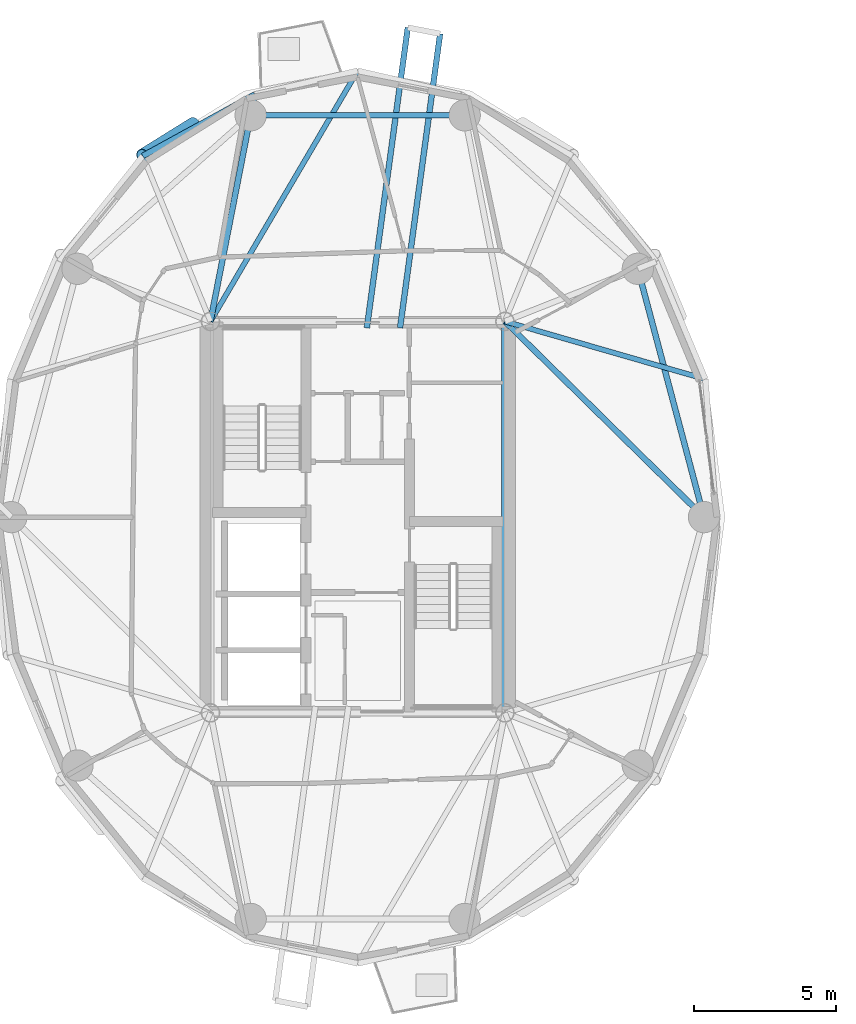
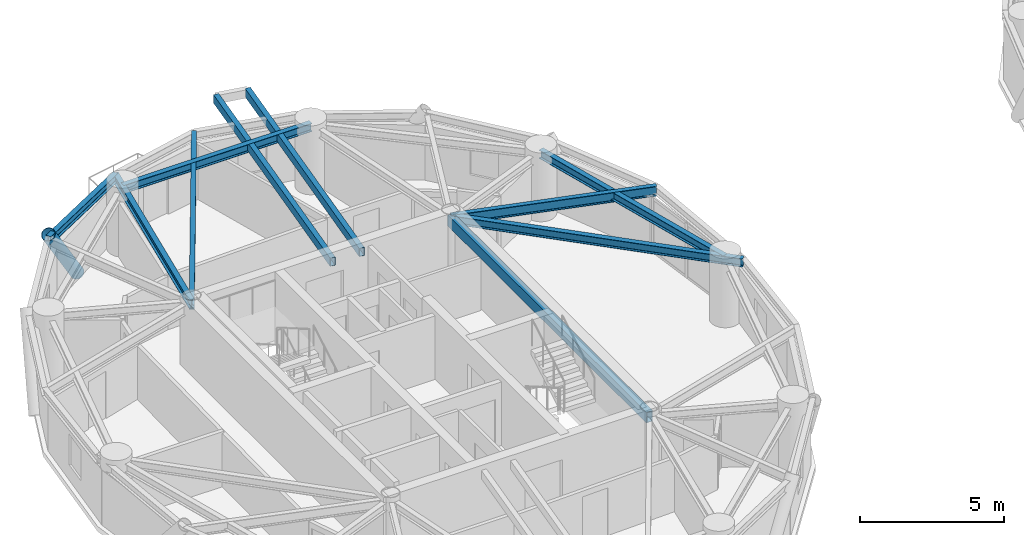
# One storey, part 2 of 17: 10 beams, 1 member.
"""IFC4 building model written with IfcOpenShell, lengths in metres."""

from ifc_helpers import new_model, si_unit, direction, frame, origin, origin_2d, place, context, subcontext, project, spatial, hollow_rectangle, hollow_circle, i_section, extrude, material, material_profile, profile_set, type_object, element, save


model = new_model("IFC4")

# Units and contexts
model_context = context("Model", 3, precision=1e-05, world=origin(), true_north=direction((0.0, 1.0)))
body_context = subcontext(model_context, "Body", "Model", "MODEL_VIEW")
ifc_project = project(units=[si_unit("LENGTHUNIT", "METRE"), si_unit("AREAUNIT", "SQUARE_METRE"), si_unit("VOLUMEUNIT", "CUBIC_METRE"), si_unit("PLANEANGLEUNIT", "RADIAN"), si_unit("MASSUNIT", "GRAM", prefix="KILO")], contexts=[model_context])

# Site, building, storey
site_placement = place(None, origin())
site = spatial("IfcSite", under=ifc_project, at=site_placement, CompositionType="ELEMENT")
building_placement = place(site_placement, origin())
building = spatial("IfcBuilding", under=site, at=building_placement, Name="Cununo Teusaquillo Station Towers", CompositionType="ELEMENT")
storey_placement = place(building_placement, frame((0.0, 0.0, 205.389892578125)))
storey = spatial("IfcBuildingStorey", under=building, at=storey_placement, Name="L65", CompositionType="ELEMENT", Elevation=205.389892578125)

# Beams
ifc_material_1 = material(Name="Steel EN 10025-2 S355J2", Category="steel")
ifc_material_profile_1 = material_profile(ifc_material_1, hollow_rectangle(XDim=0.199951171875, YDim=0.35009765625, WallThickness=0.013916015625, at=origin_2d()), Name="RHS 350x200x14")
ifc_profile_set_1 = profile_set([ifc_material_profile_1], Name="Steel EN 10025-2 S355J2")
beam_type_1 = type_object("IfcBeamType", Name="BM-BAL-CANT", PredefinedType="BEAM", material=ifc_profile_set_1)
beam_1_placement = place(storey_placement, frame((17.9892578125, 31.14990234375, 2.525146484375), z_axis=(0.135018196505, 0.990843119072, 0.0), x_axis=(-0.990843119072, 0.135018196505, 0.0)))
element("IfcBeam", 1, at=beam_1_placement, inside=storey, type_object=beam_type_1, Name="L65 Tower A Balcony Cantilever Bracket 1A", PredefinedType="BEAM", context=body_context, shape_type="SweptSolid", body=[
    extrude(hollow_rectangle(XDim=0.199951171875, YDim=0.35009765625, WallThickness=0.013916015625, at=origin_2d()), origin(), (0.0, 0.0, 1.0), 10.43505859375),
])
beam_2_placement = place(storey_placement, frame((16.822998046875, 31.14990234375, 2.525146484375), z_axis=(0.135006880627, 0.990844660975, 0.0), x_axis=(-0.990844660975, 0.135006880627, 0.0)))
element("IfcBeam", 2, at=beam_2_placement, inside=storey, type_object=beam_type_1, Name="L65 Tower A Balcony Cantilever Bracket 1B", PredefinedType="BEAM", context=body_context, shape_type="SweptSolid", body=[
    extrude(hollow_rectangle(XDim=0.199951171875, YDim=0.35009765625, WallThickness=0.013916015625, at=origin_2d()), origin(), (0.0, 0.0, 1.0), 10.65673828125),
])
ifc_material_2 = material(Name="Steel EN 10025-2 S355J2", Category="steel")
ifc_material_profile_2 = material_profile(ifc_material_2, hollow_rectangle(XDim=0.25, YDim=0.449951171875, WallThickness=0.01611328125, at=origin_2d()), Name="RHS 450x250x16")
ifc_profile_set_2 = profile_set([ifc_material_profile_2], Name="Steel EN 10025-2 S355J2")
beam_type_2 = type_object("IfcBeamType", Name="BM-COUP-1", PredefinedType="USERDEFINED", material=ifc_profile_set_2)
beam_3_placement = place(storey_placement, frame((21.675048828125, 17.6201171875, 2.47509765625), z_axis=(0.0, 1.0, 0.0), x_axis=(-1.0, 0.0, 0.0)))
element("IfcBeam", 3, at=beam_3_placement, inside=storey, type_object=beam_type_2, Name="L65 Tower A Core Beam 2", ObjectType="COUPLING BEAM", PredefinedType="USERDEFINED", context=body_context, shape_type="SweptSolid", body=[
    extrude(hollow_rectangle(XDim=0.25, YDim=0.449951171875, WallThickness=0.01611328125, at=origin_2d()), origin(), (0.0, 0.0, 1.0), 13.759765625),
])
ifc_material_3 = material(Name="Steel ASTM A572 Grade 50", Category="steel")
ifc_material_profile_3 = material_profile(ifc_material_3, i_section(OverallWidth=0.180908203125, OverallDepth=0.4169921875, WebThickness=0.010986328125, FlangeThickness=0.018310546875, FilletRadius=0.012939453125, at=origin_2d()), Name="W16X57")
ifc_profile_set_3 = profile_set([ifc_material_profile_3], Name="Steel ASTM A572 Grade 50")
beam_type_3 = type_object("IfcBeamType", Name="BM-JOIST-1", PredefinedType="JOIST", material=ifc_profile_set_3)
beam_4_placement = place(storey_placement, frame((21.675048828125, 31.3798828125, 2.49169921875), z_axis=(0.960861603375, -0.277028841748, 0.0), x_axis=(0.277028841748, 0.960861603375, 0.0)))
element("IfcBeam", 4, at=beam_4_placement, inside=storey, type_object=beam_type_3, Name="L65 Tower A Radial Spandrel Joist V01", PredefinedType="JOIST", context=body_context, shape_type="SweptSolid", body=[
    extrude(i_section(OverallWidth=0.180908203125, OverallDepth=0.4169921875, WebThickness=0.010986328125, FlangeThickness=0.018310546875, FilletRadius=0.012939453125, at=origin_2d()), origin(), (0.0, 0.0, 1.0), 7.333251953125),
])
beam_5_placement = place(storey_placement, frame((11.324951171875, 31.3798828125, 2.49169921875), z_axis=(0.506486432091, 0.862247930765, 0.0), x_axis=(-0.862247930765, 0.506486432091, 0.0)))
element("IfcBeam", 5, at=beam_5_placement, inside=storey, type_object=beam_type_3, Name="L65 Tower A Radial Spandrel Joist V05", PredefinedType="JOIST", context=body_context, shape_type="SweptSolid", body=[
    extrude(i_section(OverallWidth=0.180908203125, OverallDepth=0.4169921875, WebThickness=0.010986328125, FlangeThickness=0.018310546875, FilletRadius=0.012939453125, at=origin_2d()), origin(), (0.0, 0.0, 1.0), 10.217529296875),
])
ifc_material_4 = material(Name="Steel ASTM A572 Grade 50", Category="steel")
ifc_material_profile_4 = material_profile(ifc_material_4, i_section(OverallWidth=0.2041015625, OverallDepth=0.35009765625, WebThickness=0.008544921875, FlangeThickness=0.01513671875, FilletRadius=0.011962890625, at=origin_2d()), Name="W14X48")
ifc_profile_set_4 = profile_set([ifc_material_profile_4], Name="Steel ASTM A572 Grade 50")
beam_type_4 = type_object("IfcBeamType", Name="BM-RAD-G3", PredefinedType="BEAM", material=ifc_profile_set_4)
beam_6_placement = place(storey_placement, frame((21.675048828125, 31.3798828125, 2.525146484375), z_axis=(0.713043510712, -0.701119784225, 0.0), x_axis=(0.701119784225, 0.713043510712, 0.0)))
element("IfcBeam", 6, at=beam_6_placement, inside=storey, type_object=beam_type_4, Name="L65 Tower A Continuous Overhanging Radial Girder 01", PredefinedType="BEAM", context=body_context, shape_type="SweptSolid", body=[
    extrude(i_section(OverallWidth=0.2041015625, OverallDepth=0.35009765625, WebThickness=0.008544921875, FlangeThickness=0.01513671875, FilletRadius=0.011962890625, at=origin_2d()), origin(), (0.0, 0.0, 1.0), 10.462890625),
])
beam_7_placement = place(storey_placement, frame((11.324951171875, 31.3798828125, 2.525146484375), z_axis=(0.191548487699, 0.981483151593, 0.0), x_axis=(-0.981483151593, 0.191548487699, 0.0)))
element("IfcBeam", 7, at=beam_7_placement, inside=storey, type_object=beam_type_4, Name="L65 Tower A Continuous Overhanging Radial Girder 04", PredefinedType="BEAM", context=body_context, shape_type="SweptSolid", body=[
    extrude(i_section(OverallWidth=0.2041015625, OverallDepth=0.35009765625, WebThickness=0.008544921875, FlangeThickness=0.01513671875, FilletRadius=0.011962890625, at=origin_2d()), origin(), (0.0, 0.0, 1.0), 8.1240234375),
])
ifc_material_5 = material(Name="Steel ASTM A572 Grade 50", Category="steel")
ifc_material_profile_5 = material_profile(ifc_material_5, i_section(OverallWidth=0.2041015625, OverallDepth=0.35009765625, WebThickness=0.008544921875, FlangeThickness=0.01513671875, FilletRadius=0.011962890625, at=origin_2d()), Name="W14X48")
ifc_profile_set_5 = profile_set([ifc_material_profile_5], Name="Steel ASTM A572 Grade 50")
beam_type_5 = type_object("IfcBeamType", Name="BM-RING-Z4", PredefinedType="SPANDREL", material=ifc_profile_set_5)
beam_8_placement = place(storey_placement, frame((28.672119140625, 24.5, 2.525146484375), z_axis=(-0.257363196347, 0.966314744359, 0.0), x_axis=(-0.966314744359, -0.257363196347, 0.0)))
element("IfcBeam", 8, at=beam_8_placement, inside=storey, type_object=beam_type_5, Name="L65 Tower A Structural Column Ring Girder 01", PredefinedType="SPANDREL", context=body_context, shape_type="SweptSolid", body=[
    extrude(i_section(OverallWidth=0.2041015625, OverallDepth=0.35009765625, WebThickness=0.008544921875, FlangeThickness=0.01513671875, FilletRadius=0.011962890625, at=origin_2d()), origin(), (0.0, 0.0, 1.0), 9.03271484375),
])
beam_9_placement = place(storey_placement, frame((20.261474609375, 38.623291015625, 2.525146484375), z_axis=(-1.0, 0.0, 0.0), x_axis=(0.0, -1.0, 0.0)))
element("IfcBeam", 9, at=beam_9_placement, inside=storey, type_object=beam_type_5, Name="L65 Tower A Structural Column Ring Girder 03", PredefinedType="SPANDREL", context=body_context, shape_type="SweptSolid", body=[
    extrude(i_section(OverallWidth=0.2041015625, OverallDepth=0.35009765625, WebThickness=0.008544921875, FlangeThickness=0.01513671875, FilletRadius=0.011962890625, at=origin_2d()), origin(), (0.0, 0.0, 1.0), 7.52294921875),
])
beam_10_placement = place(storey_placement, frame((12.881103515625, 39.353515625, 2.525146484375), z_axis=(-0.876576300909, -0.481262910149, 0.0), x_axis=(0.481262910149, -0.876576300909, 0.0)))
element("IfcBeam", 10, at=beam_10_placement, inside=storey, type_object=beam_type_5, Name="L65 Tower A Spandrel Ring Beam 07", PredefinedType="SPANDREL", context=body_context, shape_type="SweptSolid", body=[
    extrude(i_section(OverallWidth=0.2041015625, OverallDepth=0.35009765625, WebThickness=0.008544921875, FlangeThickness=0.01513671875, FilletRadius=0.011962890625, at=origin_2d()), origin(), (0.0, 0.0, 1.0), 4.488037109375),
])

# Member
ifc_material_6 = material(Name="Steel EN 10025-2 S355J2", Category="steel")
ifc_material_profile_6 = material_profile(ifc_material_6, hollow_circle(Radius=0.25390625, WallThickness=0.01806640625, at=origin_2d()), Name="CHS 508x18")
ifc_profile_set_6 = profile_set([ifc_material_profile_6], Name="Steel EN 10025-2 S355J2")
member_type = type_object("IfcMemberType", Name="MBR-DIAG-Z4", PredefinedType="BRACE", material=ifc_profile_set_6)
member_placement = place(storey_placement, frame((10.738037109375, 38.307861328125, -0.139892578125), z_axis=(-0.498333742466, -0.310032061152, 0.809656471708), x_axis=(0.528249968439, -0.849088906325, 0.0)))
element("IfcMember", 11, at=member_placement, inside=storey, type_object=member_type, Name="L65 Tower A Folded-Zigzag Diagrid Tube C06", PredefinedType="BRACE", context=body_context, shape_type="SweptSolid", body=[
    extrude(hollow_circle(Radius=0.25390625, WallThickness=0.01806640625, at=origin_2d()), origin(), (0.0, 0.0, 1.0), 3.593994140625),
])

save(model, "model.ifc")
